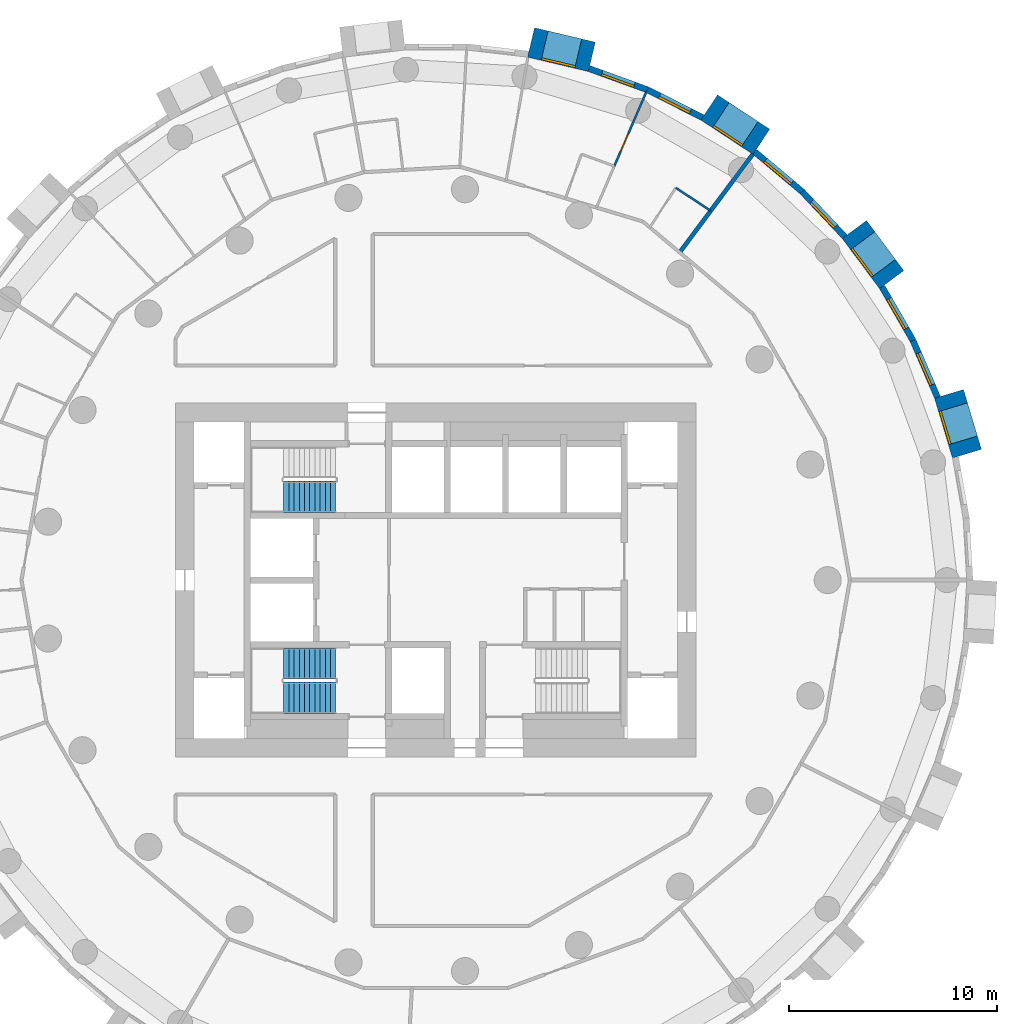
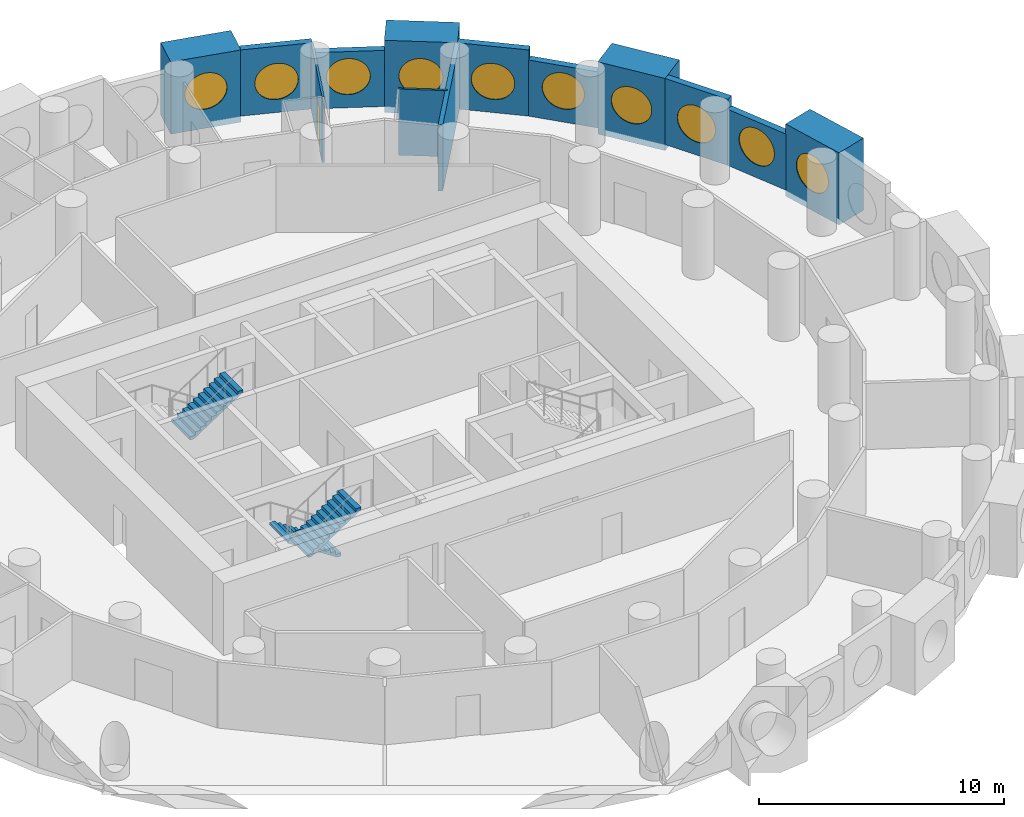
# One storey, part 8 of 10: 13 walls, 10 windows, 3 stair flights, 1 door, 11 openings, 2 elements without a shape of their own.
"""IFC4 building model written with IfcOpenShell, lengths in metres."""

import ifcopenshell
import ifcopenshell.guid

model = None  # the IFC model being written
_history = None  # IfcOwnerHistory: only IFC2X3 demands one
_inside = {}  # id of a spatial element -> (the spatial element, [elements in it])
_under = {}  # id of a project, library or spatial element -> (it, [spatial elements below it])
_declared = {}  # id of a project -> (the project, [libraries it declares])
_typed = {}  # id of a type object -> (the type object, [elements of that type])
_made_of = {}  # id of a material, layer set ... -> (it, [elements and type objects made of it])


def new_model(schema):
    """Start an empty IFC model of exactly this schema.

    Asked for "IFC4X3", IfcOpenShell would pick the latest addendum, in which some entities
    have other attributes; the version numbers below select the first issue.
    IFC2X3 requires an IfcOwnerHistory on every rooted entity: one is made here for all.
    """
    global model, _history
    if schema == "IFC4X3":
        model = ifcopenshell.file(schema_version=(4, 3, 0, 0))
    else:
        model = ifcopenshell.file(schema=schema)
    _inside.clear()
    _under.clear()
    _declared.clear()
    _typed.clear()
    _made_of.clear()
    _history = None
    if model.schema == "IFC2X3":
        org = make("IfcOrganization", Name="unknown")
        user = make(
            "IfcPersonAndOrganization",
            ThePerson=make("IfcPerson", FamilyName="unknown"),
            TheOrganization=org,
        )
        app = make(
            "IfcApplication",
            ApplicationDeveloper=org,
            Version="unknown",
            ApplicationFullName="unknown",
            ApplicationIdentifier="unknown",
        )
        _history = make(
            "IfcOwnerHistory",
            OwningUser=user,
            OwningApplication=app,
            ChangeAction="ADDED",
            CreationDate=0,
        )
    return model


def make(cls, **values):
    """One entity of the class cls with the attributes given. An attribute that is None is left unset."""
    return model.create_entity(
        cls, **{name: value for name, value in values.items() if value is not None}
    )


def rooted(cls, **values):
    """An entity with a GlobalId (a new one), such as an element, a storey or a relation."""
    return make(cls, GlobalId=ifcopenshell.guid.new(), OwnerHistory=_history, **values)


def si_unit(unit_type, name, prefix=None):
    """IfcSIUnit, for example si_unit("LENGTHUNIT", "METRE", prefix="MILLI")."""
    return make("IfcSIUnit", UnitType=unit_type, Prefix=prefix, Name=name)


def assignment(units):
    """IfcUnitAssignment: the units of a project."""
    return None if units is None else make("IfcUnitAssignment", Units=units)


def point(xyz):
    """IfcCartesianPoint."""
    return None if xyz is None else make("IfcCartesianPoint", Coordinates=xyz)


def direction(xyz):
    """IfcDirection."""
    return None if xyz is None else make("IfcDirection", DirectionRatios=xyz)


def frame(location, z_axis=None, x_axis=None):
    """IfcAxis2Placement3D, a coordinate frame: its origin and axes. An axis left out is left unset."""
    return make(
        "IfcAxis2Placement3D",
        Location=point(location),
        Axis=direction(z_axis),
        RefDirection=direction(x_axis),
    )


def frame_2d(location, x_axis=None):
    """IfcAxis2Placement2D, a coordinate frame in the plane: its origin and x axis."""
    return make(
        "IfcAxis2Placement2D", Location=point(location), RefDirection=direction(x_axis)
    )


def origin():
    """The frame at (0, 0, 0) with its axes left unset."""
    return frame((0.0, 0.0, 0.0))


def origin_2d():
    """The frame at (0, 0) in the plane with its x axis left unset."""
    return frame_2d((0.0, 0.0))


def place(relative_to, where):
    """IfcLocalPlacement: puts the frame where relative to a parent placement (None: the world)."""
    return make(
        "IfcLocalPlacement", PlacementRelTo=relative_to, RelativePlacement=where
    )


def context(
    kind, dimensions, precision=None, world=None, true_north=None, identifier=None
):
    """IfcGeometricRepresentationContext, for example the 3D "Model" context."""
    return make(
        "IfcGeometricRepresentationContext",
        ContextIdentifier=identifier,
        ContextType=kind,
        CoordinateSpaceDimension=dimensions,
        Precision=precision,
        WorldCoordinateSystem=world,
        TrueNorth=true_north,
    )


def subcontext(parent, identifier, kind, view, scale=None):
    """IfcGeometricRepresentationSubContext, for example "Body" below "Model"."""
    return make(
        "IfcGeometricRepresentationSubContext",
        ContextIdentifier=identifier,
        ContextType=kind,
        ParentContext=parent,
        TargetScale=scale,
        TargetView=view,
    )


def project(units=None, contexts=None):
    """IfcProject with its units and contexts."""
    return rooted(
        "IfcProject",
        Name="project",
        RepresentationContexts=contexts,
        UnitsInContext=assignment(units),
    )


def spatial(cls, under=None, at=None, **own):
    """A site, building, storey or space (cls), placed at a placement, below another one or the project."""
    s = rooted(cls, ObjectPlacement=at, **own)
    if under is not None:
        _under.setdefault(under.id(), (under, []))[1].append(s)
    return s


def polyline(points):
    """IfcPolyline through the points."""
    return make("IfcPolyline", Points=[point(p) for p in points])


def profile(cls, at=None, kind="AREA", **sizes):
    """A parametric profile (cls). Its sizes go by their IFC names, for example OverallWidth=200.0."""
    return make(cls, ProfileType=kind, Position=at, **sizes)


def rectangle(**sizes):
    """IfcRectangleProfileDef."""
    return profile("IfcRectangleProfileDef", **sizes)


def circle(**sizes):
    """IfcCircleProfileDef."""
    return profile("IfcCircleProfileDef", **sizes)


def outline(outer, holes=None, kind="AREA"):
    """IfcArbitraryClosedProfileDef: a profile drawn as a closed curve; with holes, ...WithVoids."""
    if holes is None:
        return make("IfcArbitraryClosedProfileDef", ProfileType=kind, OuterCurve=outer)
    return make(
        "IfcArbitraryProfileDefWithVoids",
        ProfileType=kind,
        OuterCurve=outer,
        InnerCurves=holes,
    )


def extrude(swept, where, along, depth):
    """IfcExtrudedAreaSolid: the profile swept, set in the frame where, extruded along a direction by depth."""
    return make(
        "IfcExtrudedAreaSolid",
        SweptArea=swept,
        Position=where,
        ExtrudedDirection=direction(along),
        Depth=depth,
    )


def shape(context_of_items, identifier, shape_type, items):
    """IfcShapeRepresentation: the items that make up one representation, for example the "Body"."""
    return make(
        "IfcShapeRepresentation",
        ContextOfItems=context_of_items,
        RepresentationIdentifier=identifier,
        RepresentationType=shape_type,
        Items=items,
    )


def material(Name=None, Category=None):
    """IfcMaterial."""
    return make("IfcMaterial", Name=Name, Category=Category)


def layer(
    of_material, thickness, ventilated=None, Name=None, Category=None, Priority=None
):
    """IfcMaterialLayer: one layer of a wall or slab, of a material (None: an air gap)."""
    return make(
        "IfcMaterialLayer",
        Material=of_material,
        LayerThickness=thickness,
        IsVentilated=ventilated,
        Name=Name,
        Category=Category,
        Priority=Priority,
    )


def layer_set(layers, Name=None):
    """IfcMaterialLayerSet."""
    return make("IfcMaterialLayerSet", MaterialLayers=layers, LayerSetName=Name)


def made_of(thing, what):
    """Note that an element or type object is made of a material, layer set ...; save() writes the relation."""
    if what is not None:
        _made_of.setdefault(what.id(), (what, []))[1].append(thing)
    return thing


def type_object(cls, material=None, **own):
    """A type object (cls), such as IfcWallType, which elements share."""
    return made_of(rooted(cls, **own), material)


def element(
    cls,
    number,
    at=None,
    inside=None,
    cuts=None,
    type_object=None,
    material=None,
    context=None,
    identifier="Body",
    shape_type=None,
    held_by="IfcProductDefinitionShape",
    body=None,
    shapes=None,
    **own,
):
    """One element of the class cls, such as IfcWall. Its Tag is "e" and its number.

    at: its placement. inside: the storey or other place that contains it. cuts: it is an
    opening in that element (IfcRelVoidsElement). A single representation is given by context,
    identifier, shape_type and body (its items); several are given by shapes. held_by: the class
    of the entity that holds the representations. save() writes the other relations.
    """
    e = rooted(cls, Tag="e%d" % number, ObjectPlacement=at, **own)
    if body is not None:
        shapes = [shape(context, identifier, shape_type, body)]
    if shapes is not None:
        e.Representation = make(held_by, Representations=shapes)
    if inside is not None:
        _inside.setdefault(inside.id(), (inside, []))[1].append(e)
    if cuts is not None:
        rooted(
            "IfcRelVoidsElement", RelatingBuildingElement=cuts, RelatedOpeningElement=e
        )
    if type_object is not None:
        _typed.setdefault(type_object.id(), (type_object, []))[1].append(e)
    return made_of(e, material)


def fill(opening, filler):
    """IfcRelFillsElement: the door or window that sits in an opening."""
    return rooted(
        "IfcRelFillsElement",
        RelatingOpeningElement=opening,
        RelatedBuildingElement=filler,
    )


def aggregate(whole, parts):
    """IfcRelAggregates: a whole, such as a stair, and the parts it consists of."""
    return rooted("IfcRelAggregates", RelatingObject=whole, RelatedObjects=parts)


def save(model, path):
    """Write the relations noted so far, then the file.

    IfcRelAggregates (storeys below a building ...), IfcRelContainedInSpatialStructure (elements
    in a storey), IfcRelDefinesByType, IfcRelAssociatesMaterial and IfcRelDeclares: one each for
    every whole, place, type object, material and project.
    """
    for whole, parts in _under.values():
        aggregate(whole, parts)
    for where, things in _inside.values():
        rooted(
            "IfcRelContainedInSpatialStructure",
            RelatedElements=things,
            RelatingStructure=where,
        )
    for kind, things in _typed.values():
        rooted("IfcRelDefinesByType", RelatedObjects=things, RelatingType=kind)
    for what, things in _made_of.values():
        rooted("IfcRelAssociatesMaterial", RelatedObjects=things, RelatingMaterial=what)
    for by, libraries in _declared.values():
        rooted("IfcRelDeclares", RelatingContext=by, RelatedDefinitions=libraries)
    model.write(path)


model = new_model("IFC4")

# Units and contexts
model_context = context("Model", 3, precision=1e-05, world=origin(), true_north=direction((0.0, 1.0)))
body_context = subcontext(model_context, "Body", "Model", "MODEL_VIEW")
ifc_project = project(units=[si_unit("LENGTHUNIT", "METRE"), si_unit("AREAUNIT", "SQUARE_METRE"), si_unit("VOLUMEUNIT", "CUBIC_METRE"), si_unit("PLANEANGLEUNIT", "RADIAN"), si_unit("MASSUNIT", "GRAM", prefix="KILO")], contexts=[model_context])

# Site, building, storey
site_placement = place(None, origin())
site = spatial("IfcSite", under=ifc_project, at=site_placement, CompositionType="ELEMENT")
building_placement = place(site_placement, origin())
building = spatial("IfcBuilding", under=site, at=building_placement, Name="Tracery Tower", CompositionType="ELEMENT")
storey_placement = place(building_placement, frame((0.0, 0.0, 136.800048828125)))
storey = spatial("IfcBuildingStorey", under=building, at=storey_placement, Name="L34", CompositionType="ELEMENT", Elevation=136.800048828125)

# Wall, opening, window
ifc_material_1 = material(Name="Precast concrete C50/60", Category="concrete")
ifc_layer_1 = layer(ifc_material_1, 1.449951171875)
ifc_layer_set_1 = layer_set([ifc_layer_1], Name="Deep-set bay unit 3000 x 3600, slab edge 300")
wall_type_1 = type_object("IfcWallType", Name="Deep-set bay unit 3000 x 3600, slab edge 300", PredefinedType="ELEMENTEDWALL", material=ifc_layer_set_1)
wall_1_placement = place(storey_placement, frame((25.509521484375, 6.0712890625, -0.300048828125), z_axis=(0.0, 0.0, 1.0), x_axis=(-0.286780420304, 0.957996341606, 0.0)))
wall_1 = element("IfcWall", 1, at=wall_1_placement, inside=storey, type_object=wall_type_1, Name="Deep-set bay unit 3 at L34", PredefinedType="ELEMENTEDWALL", context=body_context, shape_type="SweptSolid", body=[
    extrude(rectangle(XDim=3.0, YDim=1.449951171875, at=frame_2d((1.5, 0.0))), origin(), (0.0, 0.0, 1.0), 3.60009765625),
])
opening_1_placement = place(wall_1_placement, frame((1.5, 0.0, 1.85009765625)))
opening_1 = element("IfcOpeningElement", 2, at=opening_1_placement, cuts=wall_1, Name="Opening WN1", PredefinedType="OPENING", context=body_context, shape_type="SweptSolid", body=[
    extrude(circle(Radius=0.9000244140625, at=origin_2d()), frame((0.0, 0.73486328125, 0.0), z_axis=(0.0, -1.0, 0.0), x_axis=(1.0, 0.0, 0.0)), (0.0, 0.0, 1.0), 1.469970703125),
])
ifc_material_2 = material(Name="Aluminium frame with tinted double glazing", Category="aluminium")
window_type = type_object("IfcWindowType", Name="Round window 1800", PartitioningType="SINGLE_PANEL", PredefinedType="WINDOW", material=ifc_material_2)
window_1_placement = place(opening_1_placement, origin())
window_1 = element("IfcWindow", 3, at=window_1_placement, inside=storey, type_object=window_type, Name="Round window 3 at L34", OverallHeight=1.800048828125, OverallWidth=1.800048828125, PartitioningType="SINGLE_PANEL", PredefinedType="WINDOW", context=body_context, shape_type="SweptSolid", body=[
    extrude(circle(Radius=0.9000244140625, at=origin_2d()), frame((0.0, 0.69482421875, 0.0), z_axis=(0.0, -1.0, 0.0), x_axis=(1.0, 0.0, 0.0)), (0.0, 0.0, 1.0), 0.10009765625),
])
fill(opening_1, window_1)

wall_2_placement = place(storey_placement, frame((21.89453125, 14.429931640625, -0.300048828125), z_axis=(0.0, 0.0, 1.0), x_axis=(-0.597183717734, 0.802104486506, 0.0)))
wall_2 = element("IfcWall", 4, at=wall_2_placement, inside=storey, type_object=wall_type_1, Name="Deep-set bay unit 6 at L34", PredefinedType="ELEMENTEDWALL", context=body_context, shape_type="SweptSolid", body=[
    extrude(rectangle(XDim=3.0, YDim=1.449951171875, at=frame_2d((1.5, 0.0))), origin(), (0.0, 0.0, 1.0), 3.60009765625),
])
opening_2_placement = place(wall_2_placement, frame((1.5, 0.0, 1.85009765625)))
opening_2 = element("IfcOpeningElement", 5, at=opening_2_placement, cuts=wall_2, Name="Opening WN1", PredefinedType="OPENING", context=body_context, shape_type="SweptSolid", body=[
    extrude(circle(Radius=0.9000244140625, at=origin_2d()), frame((0.0, 0.73486328125, 0.0), z_axis=(0.0, -1.0, 0.0), x_axis=(1.0, 0.0, 0.0)), (0.0, 0.0, 1.0), 1.469970703125),
])
window_2_placement = place(opening_2_placement, origin())
window_2 = element("IfcWindow", 6, at=window_2_placement, inside=storey, type_object=window_type, Name="Round window 6 at L34", OverallHeight=1.800048828125, OverallWidth=1.800048828125, PartitioningType="SINGLE_PANEL", PredefinedType="WINDOW", context=body_context, shape_type="SweptSolid", body=[
    extrude(circle(Radius=0.9000244140625, at=origin_2d()), frame((0.0, 0.69482421875, 0.0), z_axis=(0.0, -1.0, 0.0), x_axis=(1.0, 0.0, 0.0)), (0.0, 0.0, 1.0), 0.10009765625),
])
fill(opening_2, window_2)

wall_3_placement = place(storey_placement, frame((15.638916015625, 21.048095703125, -0.300048828125), z_axis=(0.0, 0.0, 1.0), x_axis=(-0.835514416706, 0.549468524554, 0.0)))
wall_3 = element("IfcWall", 7, at=wall_3_placement, inside=storey, type_object=wall_type_1, Name="Deep-set bay unit 9 at L34", PredefinedType="ELEMENTEDWALL", context=body_context, shape_type="SweptSolid", body=[
    extrude(rectangle(XDim=3.0, YDim=1.449951171875, at=frame_2d((1.5, 0.0))), origin(), (0.0, 0.0, 1.0), 3.60009765625),
])
opening_3_placement = place(wall_3_placement, frame((1.5, 0.0, 1.85009765625)))
opening_3 = element("IfcOpeningElement", 8, at=opening_3_placement, cuts=wall_3, Name="Opening WN1", PredefinedType="OPENING", context=body_context, shape_type="SweptSolid", body=[
    extrude(circle(Radius=0.9000244140625, at=origin_2d()), frame((0.0, 0.73486328125, 0.0), z_axis=(0.0, -1.0, 0.0), x_axis=(1.0, 0.0, 0.0)), (0.0, 0.0, 1.0), 1.469970703125),
])
window_3_placement = place(opening_3_placement, origin())
window_3 = element("IfcWindow", 9, at=window_3_placement, inside=storey, type_object=window_type, Name="Round window 9 at L34", OverallHeight=1.800048828125, OverallWidth=1.800048828125, PartitioningType="SINGLE_PANEL", PredefinedType="WINDOW", context=body_context, shape_type="SweptSolid", body=[
    extrude(circle(Radius=0.9000244140625, at=origin_2d()), frame((0.0, 0.69482421875, 0.0), z_axis=(0.0, -1.0, 0.0), x_axis=(1.0, 0.0, 0.0)), (0.0, 0.0, 1.0), 0.10009765625),
])
fill(opening_3, window_3)

wall_4_placement = place(storey_placement, frame((7.496826171875, 25.12744140625, -0.300048828125), z_axis=(0.0, 0.0, 1.0), x_axis=(-0.973042333261, 0.23062657627, 0.0)))
wall_4 = element("IfcWall", 10, at=wall_4_placement, inside=storey, type_object=wall_type_1, Name="Deep-set bay unit 12 at L34", PredefinedType="ELEMENTEDWALL", context=body_context, shape_type="SweptSolid", body=[
    extrude(rectangle(XDim=3.0, YDim=1.449951171875, at=frame_2d((1.5, 0.0))), origin(), (0.0, 0.0, 1.0), 3.60009765625),
])
opening_4_placement = place(wall_4_placement, frame((1.5, 0.0, 1.85009765625)))
opening_4 = element("IfcOpeningElement", 11, at=opening_4_placement, cuts=wall_4, Name="Opening WN1", PredefinedType="OPENING", context=body_context, shape_type="SweptSolid", body=[
    extrude(circle(Radius=0.9000244140625, at=origin_2d()), frame((0.0, 0.73486328125, 0.0), z_axis=(0.0, -1.0, 0.0), x_axis=(1.0, 0.0, 0.0)), (0.0, 0.0, 1.0), 1.469970703125),
])
window_4_placement = place(opening_4_placement, origin())
window_4 = element("IfcWindow", 12, at=window_4_placement, inside=storey, type_object=window_type, Name="Round window 12 at L34", OverallHeight=1.800048828125, OverallWidth=1.800048828125, PartitioningType="SINGLE_PANEL", PredefinedType="WINDOW", context=body_context, shape_type="SweptSolid", body=[
    extrude(circle(Radius=0.9000244140625, at=origin_2d()), frame((0.0, 0.69482421875, 0.0), z_axis=(0.0, -1.0, 0.0), x_axis=(1.0, 0.0, 0.0)), (0.0, 0.0, 1.0), 0.10009765625),
])
fill(opening_4, window_4)

ifc_material_3 = material(Name="Precast concrete C50/60", Category="concrete")
ifc_layer_2 = layer(ifc_material_3, 0.300048828125)
ifc_layer_set_2 = layer_set([ifc_layer_2], Name="Facade panel 3000 x 2800")
wall_type_2 = type_object("IfcWallType", Name="Facade panel 3000 x 2800", PredefinedType="SOLIDWALL", material=ifc_layer_set_2)
wall_5_placement = place(storey_placement, frame((24.096923828125, 8.78076171875, 0.0), z_axis=(0.0, 0.0, 1.0), x_axis=(-0.396078892785, 0.918216483565, 0.0)))
wall_5 = element("IfcWall", 13, at=wall_5_placement, inside=storey, type_object=wall_type_2, Name="Facade panel 4 at L34", PredefinedType="SOLIDWALL", context=body_context, shape_type="SweptSolid", body=[
    extrude(rectangle(XDim=2.972900390625, YDim=0.300048828125, at=frame_2d((1.486328125, 0.0))), origin(), (0.0, 0.0, 1.0), 2.800048828125),
])
opening_5_placement = place(wall_5_placement, frame((1.486328125, 0.0, 1.5498046875)))
opening_5 = element("IfcOpeningElement", 14, at=opening_5_placement, cuts=wall_5, Name="Opening WN1", PredefinedType="OPENING", context=body_context, shape_type="SweptSolid", body=[
    extrude(circle(Radius=0.9000244140625, at=origin_2d()), frame((0.0, 0.159912109375, 0.0), z_axis=(0.0, -1.0, 0.0), x_axis=(1.0, 0.0, 0.0)), (0.0, 0.0, 1.0), 0.320068359375),
])
window_5_placement = place(opening_5_placement, origin())
window_5 = element("IfcWindow", 15, at=window_5_placement, inside=storey, type_object=window_type, Name="Round window 4 at L34", OverallHeight=1.800048828125, OverallWidth=1.800048828125, PartitioningType="SINGLE_PANEL", PredefinedType="WINDOW", context=body_context, shape_type="SweptSolid", body=[
    extrude(circle(Radius=0.9000244140625, at=origin_2d()), frame((0.0, 0.1201171875, 0.0), z_axis=(0.0, -1.0, 0.0), x_axis=(1.0, 0.0, 0.0)), (0.0, 0.0, 1.0), 0.10009765625),
])
fill(opening_5, window_5)

wall_6_placement = place(storey_placement, frame((19.640380859375, 16.492919921875, 0.0), z_axis=(0.0, 0.0, 1.0), x_axis=(-0.686235184166, 0.727379730273, 0.0)))
wall_6 = element("IfcWall", 16, at=wall_6_placement, inside=storey, type_object=wall_type_2, Name="Facade panel 7 at L34", PredefinedType="SOLIDWALL", context=body_context, shape_type="SweptSolid", body=[
    extrude(rectangle(XDim=2.972900390625, YDim=0.300048828125, at=frame_2d((1.486328125, 0.0))), origin(), (0.0, 0.0, 1.0), 2.800048828125),
])
opening_6_placement = place(wall_6_placement, frame((1.486328125, 0.0, 1.5498046875)))
opening_6 = element("IfcOpeningElement", 17, at=opening_6_placement, cuts=wall_6, Name="Opening WN1", PredefinedType="OPENING", context=body_context, shape_type="SweptSolid", body=[
    extrude(circle(Radius=0.9000244140625, at=origin_2d()), frame((0.0, 0.159912109375, 0.0), z_axis=(0.0, -1.0, 0.0), x_axis=(1.0, 0.0, 0.0)), (0.0, 0.0, 1.0), 0.320068359375),
])
window_6_placement = place(opening_6_placement, origin())
window_6 = element("IfcWindow", 18, at=window_6_placement, inside=storey, type_object=window_type, Name="Round window 7 at L34", OverallHeight=1.800048828125, OverallWidth=1.800048828125, PartitioningType="SINGLE_PANEL", PredefinedType="WINDOW", context=body_context, shape_type="SweptSolid", body=[
    extrude(circle(Radius=0.9000244140625, at=origin_2d()), frame((0.0, 0.1201171875, 0.0), z_axis=(0.0, -1.0, 0.0), x_axis=(1.0, 0.0, 0.0)), (0.0, 0.0, 1.0), 0.10009765625),
])
fill(opening_6, window_6)

wall_7_placement = place(storey_placement, frame((12.815185546875, 22.215576171875, 0.0), z_axis=(0.0, 0.0, 1.0), x_axis=(-0.893637442555, 0.448789618045, 0.0)))
wall_7 = element("IfcWall", 19, at=wall_7_placement, inside=storey, type_object=wall_type_2, Name="Facade panel 10 at L34", PredefinedType="SOLIDWALL", context=body_context, shape_type="SweptSolid", body=[
    extrude(rectangle(XDim=2.972900390625, YDim=0.300048828125, at=frame_2d((1.486328125, 0.0))), origin(), (0.0, 0.0, 1.0), 2.800048828125),
])
opening_7_placement = place(wall_7_placement, frame((1.486328125, 0.0, 1.5498046875)))
opening_7 = element("IfcOpeningElement", 20, at=opening_7_placement, cuts=wall_7, Name="Opening WN1", PredefinedType="OPENING", context=body_context, shape_type="SweptSolid", body=[
    extrude(circle(Radius=0.9000244140625, at=origin_2d()), frame((0.0, 0.159912109375, 0.0), z_axis=(0.0, -1.0, 0.0), x_axis=(1.0, 0.0, 0.0)), (0.0, 0.0, 1.0), 0.320068359375),
])
window_7_placement = place(opening_7_placement, origin())
window_7 = element("IfcWindow", 21, at=window_7_placement, inside=storey, type_object=window_type, Name="Round window 10 at L34", OverallHeight=1.800048828125, OverallWidth=1.800048828125, PartitioningType="SINGLE_PANEL", PredefinedType="WINDOW", context=body_context, shape_type="SweptSolid", body=[
    extrude(circle(Radius=0.9000244140625, at=origin_2d()), frame((0.0, 0.1201171875, 0.0), z_axis=(0.0, -1.0, 0.0), x_axis=(1.0, 0.0, 0.0)), (0.0, 0.0, 1.0), 0.10009765625),
])
fill(opening_7, window_7)

ifc_material_4 = material(Name="Precast concrete C50/60", Category="concrete")
ifc_layer_3 = layer(ifc_material_4, 0.300048828125)
ifc_layer_set_3 = layer_set([ifc_layer_3], Name="Facade panel 3000 x 3300")
wall_type_3 = type_object("IfcWallType", Name="Facade panel 3000 x 3300", PredefinedType="SOLIDWALL", material=ifc_layer_set_3)
wall_8_placement = place(storey_placement, frame((22.91943359375, 11.510498046875, 0.0), z_axis=(0.0, 0.0, 1.0), x_axis=(-0.500016263033, 0.866016014115, 0.0)))
wall_8 = element("IfcWall", 22, at=wall_8_placement, inside=storey, type_object=wall_type_3, Name="Facade panel 5 at L34", PredefinedType="SOLIDWALL", context=body_context, shape_type="SweptSolid", body=[
    extrude(rectangle(XDim=2.97314453125, YDim=0.300048828125, at=frame_2d((1.486572265625, 0.0))), origin(), (0.0, 0.0, 1.0), 3.300048828125),
])
opening_8_placement = place(wall_8_placement, frame((1.486328125, 0.0, 1.5498046875)))
opening_8 = element("IfcOpeningElement", 23, at=opening_8_placement, cuts=wall_8, Name="Opening WN1", PredefinedType="OPENING", context=body_context, shape_type="SweptSolid", body=[
    extrude(circle(Radius=0.9000244140625, at=origin_2d()), frame((0.0, 0.159912109375, 0.0), z_axis=(0.0, -1.0, 0.0), x_axis=(1.0, 0.0, 0.0)), (0.0, 0.0, 1.0), 0.320068359375),
])
window_8_placement = place(opening_8_placement, origin())
window_8 = element("IfcWindow", 24, at=window_8_placement, inside=storey, type_object=window_type, Name="Round window 5 at L34", OverallHeight=1.800048828125, OverallWidth=1.800048828125, PartitioningType="SINGLE_PANEL", PredefinedType="WINDOW", context=body_context, shape_type="SweptSolid", body=[
    extrude(circle(Radius=0.9000244140625, at=origin_2d()), frame((0.0, 0.1201171875, 0.0), z_axis=(0.0, -1.0, 0.0), x_axis=(1.0, 0.0, 0.0)), (0.0, 0.0, 1.0), 0.10009765625),
])
fill(opening_8, window_8)

wall_9_placement = place(storey_placement, frame((17.600341796875, 18.6552734375, 0.0), z_axis=(0.0, 0.0, 1.0), x_axis=(-0.766049350637, 0.642781761089, 0.0)))
wall_9 = element("IfcWall", 25, at=wall_9_placement, inside=storey, type_object=wall_type_3, Name="Facade panel 8 at L34", PredefinedType="SOLIDWALL", context=body_context, shape_type="SweptSolid", body=[
    extrude(rectangle(XDim=2.972900390625, YDim=0.300048828125, at=frame_2d((1.486328125, 0.0))), origin(), (0.0, 0.0, 1.0), 3.300048828125),
])
opening_9_placement = place(wall_9_placement, frame((1.486328125, 0.0, 1.5498046875)))
opening_9 = element("IfcOpeningElement", 26, at=opening_9_placement, cuts=wall_9, Name="Opening WN1", PredefinedType="OPENING", context=body_context, shape_type="SweptSolid", body=[
    extrude(circle(Radius=0.9000244140625, at=origin_2d()), frame((0.0, 0.159912109375, 0.0), z_axis=(0.0, -1.0, 0.0), x_axis=(1.0, 0.0, 0.0)), (0.0, 0.0, 1.0), 0.320068359375),
])
window_9_placement = place(opening_9_placement, origin())
window_9 = element("IfcWindow", 27, at=window_9_placement, inside=storey, type_object=window_type, Name="Round window 8 at L34", OverallHeight=1.800048828125, OverallWidth=1.800048828125, PartitioningType="SINGLE_PANEL", PredefinedType="WINDOW", context=body_context, shape_type="SweptSolid", body=[
    extrude(circle(Radius=0.9000244140625, at=origin_2d()), frame((0.0, 0.1201171875, 0.0), z_axis=(0.0, -1.0, 0.0), x_axis=(1.0, 0.0, 0.0)), (0.0, 0.0, 1.0), 0.10009765625),
])
fill(opening_9, window_9)

wall_10_placement = place(storey_placement, frame((10.158447265625, 23.5498046875, 0.0), z_axis=(0.0, 0.0, 1.0), x_axis=(-0.939690282133, 0.342026568652, 0.0)))
wall_10 = element("IfcWall", 28, at=wall_10_placement, inside=storey, type_object=wall_type_3, Name="Facade panel 11 at L34", PredefinedType="SOLIDWALL", context=body_context, shape_type="SweptSolid", body=[
    extrude(rectangle(XDim=2.972900390625, YDim=0.300048828125, at=frame_2d((1.486328125, 0.0))), origin(), (0.0, 0.0, 1.0), 3.300048828125),
])
opening_10_placement = place(wall_10_placement, frame((1.486328125, 0.0, 1.5498046875)))
opening_10 = element("IfcOpeningElement", 29, at=opening_10_placement, cuts=wall_10, Name="Opening WN1", PredefinedType="OPENING", context=body_context, shape_type="SweptSolid", body=[
    extrude(circle(Radius=0.9000244140625, at=origin_2d()), frame((0.0, 0.159912109375, 0.0), z_axis=(0.0, -1.0, 0.0), x_axis=(1.0, 0.0, 0.0)), (0.0, 0.0, 1.0), 0.320068359375),
])
window_10_placement = place(opening_10_placement, origin())
window_10 = element("IfcWindow", 30, at=window_10_placement, inside=storey, type_object=window_type, Name="Round window 11 at L34", OverallHeight=1.800048828125, OverallWidth=1.800048828125, PartitioningType="SINGLE_PANEL", PredefinedType="WINDOW", context=body_context, shape_type="SweptSolid", body=[
    extrude(circle(Radius=0.9000244140625, at=origin_2d()), frame((0.0, 0.1201171875, 0.0), z_axis=(0.0, -1.0, 0.0), x_axis=(1.0, 0.0, 0.0)), (0.0, 0.0, 1.0), 0.10009765625),
])
fill(opening_10, window_10)

# Wall, opening, door
ifc_material_5 = material(Name="Plasterboard on steel studs", Category="steel")
ifc_layer_4 = layer(ifc_material_5, 0.10009765625)
ifc_layer_set_4 = layer_set([ifc_layer_4], Name="Partition 100 stud")
wall_type_4 = type_object("IfcWallType", Name="Partition 100 stud", PredefinedType="PARTITIONING", material=ifc_layer_set_4)
wall_11_placement = place(storey_placement, frame((8.575927734375, 19.881103515625, 0.0), z_axis=(0.0, 0.0, 1.0), x_axis=(0.396094260049, 0.918209854639, 0.0)))
wall_11 = element("IfcWall", 31, at=wall_11_placement, inside=storey, type_object=wall_type_4, Name="Stud partition RB2-045", PredefinedType="PARTITIONING", context=body_context, shape_type="SweptSolid", body=[
    extrude(rectangle(XDim=3.845458984375, YDim=0.10009765625, at=frame_2d((1.9228515625, 0.0))), origin(), (0.0, 0.0, 1.0), 3.300048828125),
])
opening_11_placement = place(wall_11_placement, frame((0.79541015625, 0.0, 0.0)))
opening_11 = element("IfcOpeningElement", 32, at=opening_11_placement, cuts=wall_11, Name="Opening RB2-09", PredefinedType="OPENING", context=body_context, shape_type="SweptSolid", body=[
    extrude(rectangle(XDim=0.89990234375, YDim=2.10009765625, at=frame_2d((0.449951171875, 1.050048828125))), frame((0.0, 0.050048828125, 0.0), z_axis=(0.0, -1.0, 0.0), x_axis=(1.0, 0.0, 0.0)), (0.0, 0.0, 1.0), 0.10009765625),
])
ifc_material_6 = material(Name="Timber door leaf", Category="wood")
door_type = type_object("IfcDoorType", Name="Door bedroom 900", OperationType="NOTDEFINED", PredefinedType="DOOR", material=ifc_material_6)
door_placement = place(opening_11_placement, origin())
door = element("IfcDoor", 33, at=door_placement, inside=storey, type_object=door_type, Name="Bedroom door RB2-09", OperationType="SINGLE_SWING_RIGHT", OverallHeight=2.10009765625, OverallWidth=0.89990234375, PredefinedType="DOOR", context=body_context, shape_type="SweptSolid", body=[
    extrude(rectangle(XDim=0.89990234375, YDim=2.10009765625, at=frame_2d((0.449951171875, 1.050048828125))), frame((0.0, 0.02490234375, 0.0), z_axis=(0.0, -1.0, 0.0), x_axis=(1.0, 0.0, 0.0)), (0.0, 0.0, 1.0), 0.050048828125),
])
fill(opening_11, door)

# Walls
ifc_material_7 = material(Name="Plasterboard on steel studs", Category="steel")
ifc_layer_5 = layer(ifc_material_7, 0.10009765625)
ifc_layer_set_5 = layer_set([ifc_layer_5], Name="Partition 100 wet wall")
wall_type_5 = type_object("IfcWallType", Name="Partition 100 wet wall", PredefinedType="PARTITIONING", material=ifc_layer_set_5)
wall_12_placement = place(storey_placement, frame((11.531005859375, 18.8369140625, 0.0), z_axis=(0.0, 0.0, 1.0), x_axis=(0.835392041163, -0.549654562032, 0.0)))
element("IfcWall", 34, at=wall_12_placement, inside=storey, type_object=wall_type_5, Name="Wet wall RB2-048", PredefinedType="PARTITIONING", context=body_context, shape_type="SweptSolid", body=[
    extrude(rectangle(XDim=2.002685546875, YDim=0.10009765625, at=frame_2d((1.00146484375, 0.0))), origin(), (0.0, 0.0, 1.0), 3.300048828125),
])
ifc_material_8 = material(Name="Plasterboard on steel studs", Category="steel")
ifc_layer_6 = layer(ifc_material_8, 0.199951171875)
ifc_layer_set_6 = layer_set([ifc_layer_6], Name="Partition 200 compartment wall")
wall_type_6 = type_object("IfcWallType", Name="Partition 200 compartment wall", PredefinedType="PARTITIONING", material=ifc_layer_set_6)
wall_13_placement = place(storey_placement, frame((11.716064453125, 15.73681640625, 0.0), z_axis=(0.0, 0.0, 1.0), x_axis=(0.597131981171, 0.802143002876, 0.0)))
element("IfcWall", 35, at=wall_13_placement, inside=storey, type_object=wall_type_6, Name="Compartment wall RB2-040", PredefinedType="PARTITIONING", context=body_context, shape_type="SweptSolid", body=[
    extrude(rectangle(XDim=5.878173828125, YDim=0.199951171875, at=frame_2d((2.93896484375, 0.0))), origin(), (0.0, 0.0, 1.0), 3.300048828125),
])

# Stair, stair flights
ifc_material_9 = material(Name="Concrete C32/40", Category="concrete")
stair_type = type_object("IfcStairType", Name="Core stair 22 risers", PredefinedType="HALF_TURN_STAIR", material=ifc_material_9)
stair_1_placement = place(storey_placement, origin())
stair_1 = element("IfcStair", 36, at=stair_1_placement, inside=storey, type_object=stair_type, Name="L34 stair ST1", PredefinedType="HALF_TURN_STAIR")
ifc_material_10 = material(Name="Concrete C32/40", Category="concrete")
stair_flight_type = type_object("IfcStairFlightType", Name="Core stair flight 11 risers", PredefinedType="STRAIGHT", material=ifc_material_10)
stair_flight_1_placement = place(storey_placement, frame((-4.800048828125, -4.0, 0.0), z_axis=(0.0, 0.0, 1.0), x_axis=(-1.0, 0.0, 0.0)))
stair_flight_1 = element("IfcStairFlight", 37, at=stair_flight_1_placement, type_object=stair_flight_type, Name="ST1 flight 1", NumberOfRisers=11, NumberOfTreads=10, PredefinedType="STRAIGHT", RiserHeight=0.163636364, TreadLength=0.25, context=body_context, shape_type="SweptSolid", body=[
    extrude(outline(polyline([(0.0, 0.0), (0.0, 0.002685546875), (0.0, 0.00537109375), (0.0, 0.008056640625), (0.0, 0.0107421875), (0.0, 0.013427734375), (0.0, 0.01611328125), (0.0, 0.018798828125), (0.0, 0.021484375), (0.0, 0.024169921875), (0.0, 0.02685546875), (0.0, 0.029541015625), (0.0, 0.0322265625), (0.0, 0.034912109375), (0.0, 0.03759765625), (0.0, 0.040283203125), (0.0, 0.04296875), (0.0, 0.045654296875), (0.0, 0.04833984375), (0.0, 0.051025390625), (0.0, 0.0537109375), (0.0, 0.056396484375), (0.0, 0.05908203125), (0.0, 0.061767578125), (0.0, 0.064453125), (0.0, 0.067138671875), (0.0, 0.06982421875), (0.0, 0.072509765625), (0.0, 0.0751953125), (0.0, 0.077880859375), (0.0, 0.08056640625), (0.0, 0.083251953125), (0.0, 0.0859375), (0.0, 0.088623046875), (0.0, 0.09130859375), (0.0, 0.093994140625), (0.0, 0.0966796875), (0.0, 0.099365234375), (0.0, 0.10205078125), (0.0, 0.104736328125), (0.0, 0.107421875), (0.0, 0.10986328125), (0.0, 0.112548828125), (0.0, 0.115234375), (0.0, 0.117919921875), (0.0, 0.12060546875), (0.0, 0.123291015625), (0.0, 0.1259765625), (0.0, 0.128662109375), (0.0, 0.13134765625), (0.0, 0.134033203125), (0.0, 0.13671875), (0.0, 0.139404296875), (0.0, 0.14208984375), (0.0, 0.144775390625), (0.0, 0.1474609375), (0.0, 0.150146484375), (0.0, 0.15283203125), (0.0, 0.155517578125), (0.0, 0.158203125), (0.0, 0.160888671875), (0.0, 0.16357421875), (0.25, 0.16357421875), (0.25, 0.327392578125), (0.5, 0.327392578125), (0.5, 0.490966796875), (0.75, 0.490966796875), (0.75, 0.654541015625), (1.0, 0.654541015625), (1.0, 0.818115234375), (1.25, 0.818115234375), (1.25, 0.98193359375), (1.5, 0.98193359375), (1.5, 1.1455078125), (1.75, 1.1455078125), (1.75, 1.30908203125), (2.0, 1.30908203125), (2.0, 1.47265625), (2.25, 1.47265625), (2.25, 1.636474609375), (2.5, 1.636474609375), (2.5, 1.634521484375), (2.5, 1.63232421875), (2.5, 1.63037109375), (2.5, 1.62841796875), (2.5, 1.62646484375), (2.5, 1.62451171875), (2.5, 1.62255859375), (2.5, 1.62060546875), (2.5, 1.61865234375), (2.5, 1.61669921875), (2.5, 1.61474609375), (2.5, 1.61279296875), (2.5, 1.61083984375), (2.5, 1.60888671875), (2.5, 1.60693359375), (2.5, 1.60498046875), (2.5, 1.60302734375), (2.5, 1.60107421875), (2.5, 1.59912109375), (2.5, 1.59716796875), (2.5, 1.59521484375), (2.5, 1.59326171875), (2.5, 1.59130859375), (2.5, 1.58935546875), (2.5, 1.58740234375), (2.5, 1.58544921875), (2.5, 1.58349609375), (2.5, 1.58154296875), (2.5, 1.57958984375), (2.5, 1.57763671875), (2.5, 1.57568359375), (2.5, 1.573486328125), (2.5, 1.571533203125), (2.5, 1.569580078125), (2.5, 1.567626953125), (2.5, 1.565673828125), (2.5, 1.563720703125), (2.5, 1.561767578125), (2.5, 1.559814453125), (2.5, 1.557861328125), (2.5, 1.555908203125), (2.5, 1.553955078125), (2.5, 1.552001953125), (2.5, 1.550048828125), (2.5, 1.548095703125), (2.5, 1.546142578125), (2.5, 1.544189453125), (2.5, 1.542236328125), (2.5, 1.540283203125), (2.5, 1.538330078125), (2.5, 1.536376953125), (2.5, 1.534423828125), (2.5, 1.532470703125), (2.5, 1.530517578125), (2.5, 1.528564453125), (2.5, 1.526611328125), (2.5, 1.524658203125), (2.5, 1.522705078125), (2.5, 1.520751953125), (2.5, 1.518798828125), (2.5, 1.516845703125), (0.182861328125, 0.0), (0.0, 0.0)])), frame((0.0, 0.75, 0.0), z_axis=(0.0, -1.0, 0.0), x_axis=(1.0, 0.0, 0.0)), (0.0, 0.0, 1.0), 1.5),
])
stair_flight_2_placement = place(storey_placement, frame((-7.300048828125, -5.64990234375, 1.800048828125), z_axis=(0.0, 0.0, 1.0), x_axis=(1.0, 0.0, 0.0)))
stair_flight_2 = element("IfcStairFlight", 38, at=stair_flight_2_placement, type_object=stair_flight_type, Name="ST1 flight 2", NumberOfRisers=11, NumberOfTreads=10, PredefinedType="STRAIGHT", RiserHeight=0.163636364, TreadLength=0.25, context=body_context, shape_type="SweptSolid", body=[
    extrude(outline(polyline([(0.0, 0.0), (0.0, 0.002685546875), (0.0, 0.00537109375), (0.0, 0.008056640625), (0.0, 0.0107421875), (0.0, 0.013427734375), (0.0, 0.01611328125), (0.0, 0.018798828125), (0.0, 0.021484375), (0.0, 0.024169921875), (0.0, 0.02685546875), (0.0, 0.029541015625), (0.0, 0.0322265625), (0.0, 0.034912109375), (0.0, 0.03759765625), (0.0, 0.040283203125), (0.0, 0.04296875), (0.0, 0.045654296875), (0.0, 0.04833984375), (0.0, 0.051025390625), (0.0, 0.0537109375), (0.0, 0.056396484375), (0.0, 0.05908203125), (0.0, 0.061767578125), (0.0, 0.064453125), (0.0, 0.067138671875), (0.0, 0.06982421875), (0.0, 0.072509765625), (0.0, 0.0751953125), (0.0, 0.077880859375), (0.0, 0.08056640625), (0.0, 0.083251953125), (0.0, 0.0859375), (0.0, 0.088623046875), (0.0, 0.09130859375), (0.0, 0.093994140625), (0.0, 0.0966796875), (0.0, 0.099365234375), (0.0, 0.10205078125), (0.0, 0.104736328125), (0.0, 0.107421875), (0.0, 0.10986328125), (0.0, 0.112548828125), (0.0, 0.115234375), (0.0, 0.117919921875), (0.0, 0.12060546875), (0.0, 0.123291015625), (0.0, 0.1259765625), (0.0, 0.128662109375), (0.0, 0.13134765625), (0.0, 0.134033203125), (0.0, 0.13671875), (0.0, 0.139404296875), (0.0, 0.14208984375), (0.0, 0.144775390625), (0.0, 0.1474609375), (0.0, 0.150146484375), (0.0, 0.15283203125), (0.0, 0.155517578125), (0.0, 0.158203125), (0.0, 0.160888671875), (0.0, 0.16357421875), (0.25, 0.16357421875), (0.25, 0.327392578125), (0.5, 0.327392578125), (0.5, 0.490966796875), (0.75, 0.490966796875), (0.75, 0.654541015625), (1.0, 0.654541015625), (1.0, 0.818115234375), (1.25, 0.818115234375), (1.25, 0.98193359375), (1.5, 0.98193359375), (1.5, 1.1455078125), (1.75, 1.1455078125), (1.75, 1.30908203125), (2.0, 1.30908203125), (2.0, 1.47265625), (2.25, 1.47265625), (2.25, 1.636474609375), (2.5, 1.636474609375), (2.5, 1.634521484375), (2.5, 1.63232421875), (2.5, 1.63037109375), (2.5, 1.62841796875), (2.5, 1.62646484375), (2.5, 1.62451171875), (2.5, 1.62255859375), (2.5, 1.62060546875), (2.5, 1.61865234375), (2.5, 1.61669921875), (2.5, 1.61474609375), (2.5, 1.61279296875), (2.5, 1.61083984375), (2.5, 1.60888671875), (2.5, 1.60693359375), (2.5, 1.60498046875), (2.5, 1.60302734375), (2.5, 1.60107421875), (2.5, 1.59912109375), (2.5, 1.59716796875), (2.5, 1.59521484375), (2.5, 1.59326171875), (2.5, 1.59130859375), (2.5, 1.58935546875), (2.5, 1.58740234375), (2.5, 1.58544921875), (2.5, 1.58349609375), (2.5, 1.58154296875), (2.5, 1.57958984375), (2.5, 1.57763671875), (2.5, 1.57568359375), (2.5, 1.573486328125), (2.5, 1.571533203125), (2.5, 1.569580078125), (2.5, 1.567626953125), (2.5, 1.565673828125), (2.5, 1.563720703125), (2.5, 1.561767578125), (2.5, 1.559814453125), (2.5, 1.557861328125), (2.5, 1.555908203125), (2.5, 1.553955078125), (2.5, 1.552001953125), (2.5, 1.550048828125), (2.5, 1.548095703125), (2.5, 1.546142578125), (2.5, 1.544189453125), (2.5, 1.542236328125), (2.5, 1.540283203125), (2.5, 1.538330078125), (2.5, 1.536376953125), (2.5, 1.534423828125), (2.5, 1.532470703125), (2.5, 1.530517578125), (2.5, 1.528564453125), (2.5, 1.526611328125), (2.5, 1.524658203125), (2.5, 1.522705078125), (2.5, 1.520751953125), (2.5, 1.518798828125), (2.5, 1.516845703125), (0.182861328125, 0.0), (0.0, 0.0)])), frame((0.0, 0.75, 0.0), z_axis=(0.0, -1.0, 0.0), x_axis=(1.0, 0.0, 0.0)), (0.0, 0.0, 1.0), 1.5),
])
aggregate(stair_1, [stair_flight_1, stair_flight_2])

# Stair, stair flight
stair_2_placement = place(storey_placement, origin())
stair_2 = element("IfcStair", 39, at=stair_2_placement, inside=storey, type_object=stair_type, Name="L34 stair ST3", PredefinedType="HALF_TURN_STAIR")
stair_flight_3_placement = place(storey_placement, frame((-7.300048828125, 4.0, 1.800048828125), z_axis=(0.0, 0.0, 1.0), x_axis=(1.0, 0.0, 0.0)))
stair_flight_3 = element("IfcStairFlight", 40, at=stair_flight_3_placement, type_object=stair_flight_type, Name="ST3 flight 2", NumberOfRisers=11, NumberOfTreads=10, PredefinedType="STRAIGHT", RiserHeight=0.163636364, TreadLength=0.25, context=body_context, shape_type="SweptSolid", body=[
    extrude(outline(polyline([(0.0, 0.0), (0.0, 0.002685546875), (0.0, 0.00537109375), (0.0, 0.008056640625), (0.0, 0.0107421875), (0.0, 0.013427734375), (0.0, 0.01611328125), (0.0, 0.018798828125), (0.0, 0.021484375), (0.0, 0.024169921875), (0.0, 0.02685546875), (0.0, 0.029541015625), (0.0, 0.0322265625), (0.0, 0.034912109375), (0.0, 0.03759765625), (0.0, 0.040283203125), (0.0, 0.04296875), (0.0, 0.045654296875), (0.0, 0.04833984375), (0.0, 0.051025390625), (0.0, 0.0537109375), (0.0, 0.056396484375), (0.0, 0.05908203125), (0.0, 0.061767578125), (0.0, 0.064453125), (0.0, 0.067138671875), (0.0, 0.06982421875), (0.0, 0.072509765625), (0.0, 0.0751953125), (0.0, 0.077880859375), (0.0, 0.08056640625), (0.0, 0.083251953125), (0.0, 0.0859375), (0.0, 0.088623046875), (0.0, 0.09130859375), (0.0, 0.093994140625), (0.0, 0.0966796875), (0.0, 0.099365234375), (0.0, 0.10205078125), (0.0, 0.104736328125), (0.0, 0.107421875), (0.0, 0.10986328125), (0.0, 0.112548828125), (0.0, 0.115234375), (0.0, 0.117919921875), (0.0, 0.12060546875), (0.0, 0.123291015625), (0.0, 0.1259765625), (0.0, 0.128662109375), (0.0, 0.13134765625), (0.0, 0.134033203125), (0.0, 0.13671875), (0.0, 0.139404296875), (0.0, 0.14208984375), (0.0, 0.144775390625), (0.0, 0.1474609375), (0.0, 0.150146484375), (0.0, 0.15283203125), (0.0, 0.155517578125), (0.0, 0.158203125), (0.0, 0.160888671875), (0.0, 0.16357421875), (0.25, 0.16357421875), (0.25, 0.327392578125), (0.5, 0.327392578125), (0.5, 0.490966796875), (0.75, 0.490966796875), (0.75, 0.654541015625), (1.0, 0.654541015625), (1.0, 0.818115234375), (1.25, 0.818115234375), (1.25, 0.98193359375), (1.5, 0.98193359375), (1.5, 1.1455078125), (1.75, 1.1455078125), (1.75, 1.30908203125), (2.0, 1.30908203125), (2.0, 1.47265625), (2.25, 1.47265625), (2.25, 1.636474609375), (2.5, 1.636474609375), (2.5, 1.634521484375), (2.5, 1.63232421875), (2.5, 1.63037109375), (2.5, 1.62841796875), (2.5, 1.62646484375), (2.5, 1.62451171875), (2.5, 1.62255859375), (2.5, 1.62060546875), (2.5, 1.61865234375), (2.5, 1.61669921875), (2.5, 1.61474609375), (2.5, 1.61279296875), (2.5, 1.61083984375), (2.5, 1.60888671875), (2.5, 1.60693359375), (2.5, 1.60498046875), (2.5, 1.60302734375), (2.5, 1.60107421875), (2.5, 1.59912109375), (2.5, 1.59716796875), (2.5, 1.59521484375), (2.5, 1.59326171875), (2.5, 1.59130859375), (2.5, 1.58935546875), (2.5, 1.58740234375), (2.5, 1.58544921875), (2.5, 1.58349609375), (2.5, 1.58154296875), (2.5, 1.57958984375), (2.5, 1.57763671875), (2.5, 1.57568359375), (2.5, 1.573486328125), (2.5, 1.571533203125), (2.5, 1.569580078125), (2.5, 1.567626953125), (2.5, 1.565673828125), (2.5, 1.563720703125), (2.5, 1.561767578125), (2.5, 1.559814453125), (2.5, 1.557861328125), (2.5, 1.555908203125), (2.5, 1.553955078125), (2.5, 1.552001953125), (2.5, 1.550048828125), (2.5, 1.548095703125), (2.5, 1.546142578125), (2.5, 1.544189453125), (2.5, 1.542236328125), (2.5, 1.540283203125), (2.5, 1.538330078125), (2.5, 1.536376953125), (2.5, 1.534423828125), (2.5, 1.532470703125), (2.5, 1.530517578125), (2.5, 1.528564453125), (2.5, 1.526611328125), (2.5, 1.524658203125), (2.5, 1.522705078125), (2.5, 1.520751953125), (2.5, 1.518798828125), (2.5, 1.516845703125), (0.182861328125, 0.0), (0.0, 0.0)])), frame((0.0, 0.75, 0.0), z_axis=(0.0, -1.0, 0.0), x_axis=(1.0, 0.0, 0.0)), (0.0, 0.0, 1.0), 1.5),
])
aggregate(stair_2, [stair_flight_3])

save(model, "model.ifc")
